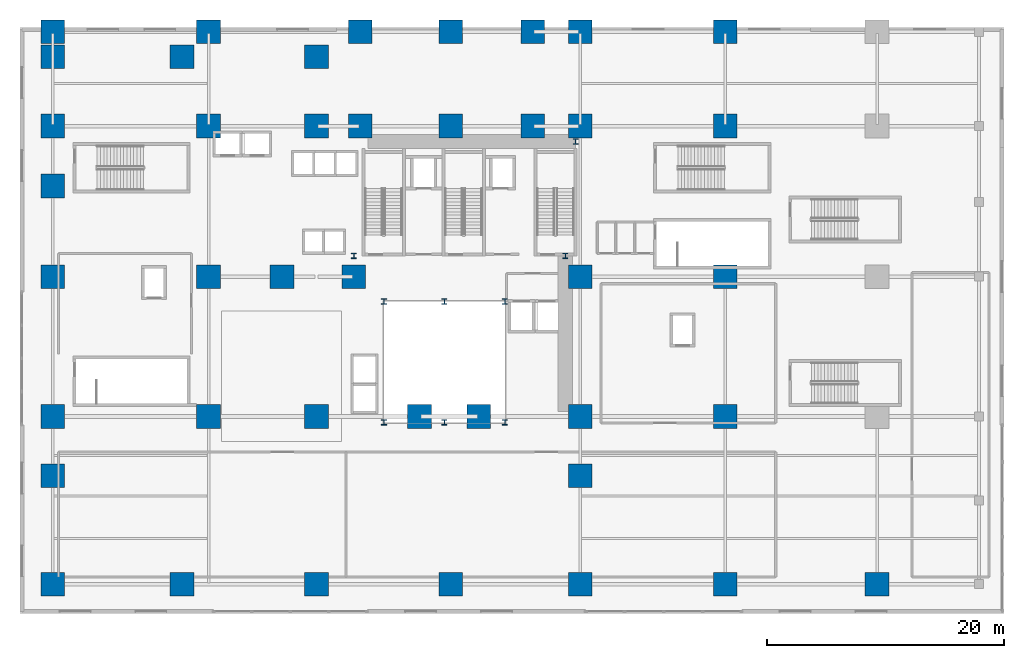
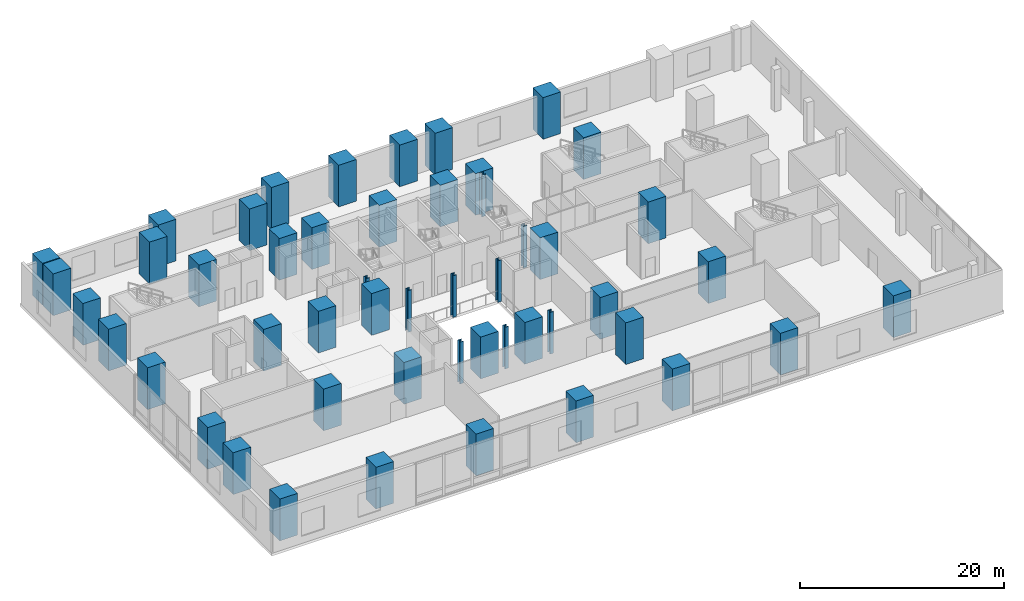
# One storey, part 1 of 15: 50 columns.
"""IFC4 building model written with IfcOpenShell, lengths in metres."""

from ifc_helpers import new_model, si_unit, direction, frame, origin, origin_2d, place, context, subcontext, project, spatial, rectangle, i_section, extrude, source, transform, mapped, material, material_profile, profile_set, type_object, element, save


model = new_model("IFC4")

# Units and contexts
model_context = context("Model", 3, precision=1e-05, world=origin(), true_north=direction((0.0, 1.0)))
body_context = subcontext(model_context, "Body", "Model", "MODEL_VIEW")
ifc_project = project(units=[si_unit("LENGTHUNIT", "METRE"), si_unit("AREAUNIT", "SQUARE_METRE"), si_unit("VOLUMEUNIT", "CUBIC_METRE"), si_unit("PLANEANGLEUNIT", "RADIAN"), si_unit("MASSUNIT", "GRAM", prefix="KILO")], contexts=[model_context])

# Site, building, storey
site_placement = place(None, origin())
site = spatial("IfcSite", under=ifc_project, at=site_placement, CompositionType="ELEMENT")
building_placement = place(site_placement, origin())
building = spatial("IfcBuilding", under=site, at=building_placement, Name="Vardaveli Station Tower", CompositionType="ELEMENT")
storey_placement = place(building_placement, frame((0.0, 0.0, 6.0)))
storey = spatial("IfcBuildingStorey", under=building, at=storey_placement, Name="L02", CompositionType="ELEMENT", Elevation=6.0)

# Columns
ifc_material_1 = material(Name="Structural steel S460M", Category="steel")
ifc_material_profile_1 = material_profile(ifc_material_1, i_section(OverallWidth=0.427978515625, OverallDepth=0.48095703125, WebThickness=0.03955078125, FlangeThickness=0.0634765625, FilletRadius=0.014892578125, at=origin_2d()), Name="HD 400x677")
ifc_profile_set_1 = profile_set([ifc_material_profile_1], Name="Structural steel S460M")
column_type_1 = type_object("IfcColumnType", Name="COL-HD677", PredefinedType="COLUMN", material=ifc_profile_set_1)
shared_shape_1 = source(origin(), body_context, "Body", "SweptSolid", [
    extrude(i_section(OverallWidth=0.427978515625, OverallDepth=0.48095703125, WebThickness=0.03955078125, FlangeThickness=0.0634765625, FilletRadius=0.014892578125, at=origin_2d()), origin(), (0.0, 0.0, 1.0), 5.0),
])
for number, where, z_axis, x_axis, name in (
    (1, (31.199951171875, 16.60009765625, 0.0), (0.0, 0.0, 1.0), (1.0, 0.0, 0.0), "COL-L02-AC1"),
    (2, (36.300048828125, 16.60009765625, 0.0), (0.0, 0.0, 1.0), (1.0, 0.0, 0.0), "COL-L02-AC2"),
    (3, (41.39990234375, 16.60009765625, 0.0), (0.0, 0.0, 1.0), (1.0, 0.0, 0.0), "COL-L02-AC3"),
    (4, (41.39990234375, 26.800048828125, 0.0), (0.0, 0.0, 1.0), (1.0, 0.0, 0.0), "COL-L02-AC4"),
    (5, (36.300048828125, 26.800048828125, 0.0), (0.0, 0.0, 1.0), (1.0, 0.0, 0.0), "COL-L02-AC5"),
    (6, (31.199951171875, 26.800048828125, 0.0), (0.0, 0.0, 1.0), (1.0, 0.0, 0.0), "COL-L02-AC6"),
    (7, (28.64990234375, 30.64990234375, 0.0), (0.0, 0.0, 1.0), (1.0, 0.0, 0.0), "COL-L02-CC1"),
    (8, (46.5, 30.64990234375, 0.0), (0.0, 0.0, 1.0), (1.0, 0.0, 0.0), "COL-L02-CC2"),
    (9, (47.3701171875, 40.300048828125, 0.0), (0.0, 0.0, 1.0), (1.0, 0.0, 0.0), "COL-L02-CC3"),
):
    element("IfcColumn", number, at=place(storey_placement, frame(where, z_axis=z_axis, x_axis=x_axis)), inside=storey, type_object=column_type_1, Name=name, PredefinedType="COLUMN", context=body_context, shape_type="MappedRepresentation", body=[
        mapped(shared_shape_1, transform((0.0, 0.0, 0.0), scale=1.0)),
    ])
ifc_material_2 = material(Name="Concrete C70/85", Category="concrete")
ifc_material_profile_2 = material_profile(ifc_material_2, rectangle(XDim=2.0, YDim=2.0, at=origin_2d()), Name="SC 2000x2000")
ifc_profile_set_2 = profile_set([ifc_material_profile_2], Name="Concrete C70/85")
column_type_2 = type_object("IfcColumnType", Name="COL-SC-2000", PredefinedType="COLUMN", material=ifc_profile_set_2)
shared_shape_2 = source(origin(), body_context, "Body", "SweptSolid", [
    extrude(rectangle(XDim=2.0, YDim=2.0, at=origin_2d()), origin(), (0.0, 0.0, 1.0), 5.0),
])
for number, where, z_axis, x_axis, name in (
    (10, (3.25, 2.949951171875, 0.0), (0.0, 0.0, 1.0), (1.0, 0.0, 0.0), "COL-L02-SC01"),
    (11, (14.159912109375, 2.949951171875, 0.0), (0.0, 0.0, 1.0), (1.0, 0.0, 0.0), "COL-L02-SC02"),
    (12, (25.5, 2.949951171875, 0.0), (0.0, 0.0, 1.0), (1.0, 0.0, 0.0), "COL-L02-SC03"),
    (13, (36.840087890625, 2.949951171875, 0.0), (0.0, 0.0, 1.0), (1.0, 0.0, 0.0), "COL-L02-SC04"),
    (14, (47.75, 2.949951171875, 0.0), (0.0, 0.0, 1.0), (1.0, 0.0, 0.0), "COL-L02-SC05"),
    (15, (60.0, 2.949951171875, 0.0), (0.0, 0.0, 1.0), (1.0, 0.0, 0.0), "COL-L02-SC06"),
    (16, (72.800048828125, 2.949951171875, 0.0), (0.0, 0.0, 1.0), (1.0, 0.0, 0.0), "COL-L02-SC07"),
    (17, (3.25, 12.10009765625, 0.0), (0.0, 0.0, 1.0), (1.0, 0.0, 0.0), "COL-L02-SC08"),
    (18, (47.75, 12.10009765625, 0.0), (0.0, 0.0, 1.0), (1.0, 0.0, 0.0), "COL-L02-SC09"),
    (19, (3.25, 17.10009765625, 0.0), (0.0, 0.0, 1.0), (1.0, 0.0, 0.0), "COL-L02-SC10"),
    (20, (16.39990234375, 17.10009765625, 0.0), (0.0, 0.0, 1.0), (1.0, 0.0, 0.0), "COL-L02-SC11"),
    (21, (25.5, 17.10009765625, 0.0), (0.0, 0.0, 1.0), (1.0, 0.0, 0.0), "COL-L02-SC12"),
    (22, (34.199951171875, 17.10009765625, 0.0), (0.0, 0.0, 1.0), (1.0, 0.0, 0.0), "COL-L02-SC12B"),
    (23, (39.199951171875, 17.10009765625, 0.0), (0.0, 0.0, 1.0), (1.0, 0.0, 0.0), "COL-L02-SC12C"),
    (24, (47.75, 17.10009765625, 0.0), (0.0, 0.0, 1.0), (1.0, 0.0, 0.0), "COL-L02-SC13"),
    (25, (60.0, 17.10009765625, 0.0), (0.0, 0.0, 1.0), (1.0, 0.0, 0.0), "COL-L02-SC14"),
    (26, (3.25, 28.89990234375, 0.0), (0.0, 0.0, 1.0), (1.0, 0.0, 0.0), "COL-L02-SC16"),
    (27, (16.39990234375, 28.89990234375, 0.0), (0.0, 0.0, 1.0), (1.0, 0.0, 0.0), "COL-L02-SC17"),
    (28, (22.60009765625, 28.89990234375, 0.0), (0.0, 0.0, 1.0), (1.0, 0.0, 0.0), "COL-L02-SC17B"),
    (29, (28.64990234375, 28.89990234375, 0.0), (0.0, 0.0, 1.0), (1.0, 0.0, 0.0), "COL-L02-SC17C"),
    (30, (47.75, 28.89990234375, 0.0), (0.0, 0.0, 1.0), (1.0, 0.0, 0.0), "COL-L02-SC18"),
    (31, (60.0, 28.89990234375, 0.0), (0.0, 0.0, 1.0), (1.0, 0.0, 0.0), "COL-L02-SC18B"),
    (32, (3.25, 36.5400390625, 0.0), (0.0, 0.0, 1.0), (1.0, 0.0, 0.0), "COL-L02-SC20"),
    (33, (3.25, 41.60009765625, 0.0), (0.0, 0.0, 1.0), (1.0, 0.0, 0.0), "COL-L02-SC20B"),
    (34, (3.25, 49.550048828125, 0.0), (0.0, 0.0, 1.0), (1.0, 0.0, 0.0), "COL-L02-SC20C"),
    (35, (16.39990234375, 41.60009765625, 0.0), (0.0, 0.0, 1.0), (1.0, 0.0, 0.0), "COL-L02-SC21"),
    (36, (25.5, 41.60009765625, 0.0), (0.0, 0.0, 1.0), (1.0, 0.0, 0.0), "COL-L02-SC21B"),
    (37, (29.199951171875, 41.60009765625, 0.0), (0.0, 0.0, 1.0), (1.0, 0.0, 0.0), "COL-L02-SC22"),
    (38, (36.840087890625, 41.60009765625, 0.0), (0.0, 0.0, 1.0), (1.0, 0.0, 0.0), "COL-L02-SC23"),
    (39, (43.75, 41.60009765625, 0.0), (0.0, 0.0, 1.0), (1.0, 0.0, 0.0), "COL-L02-SC24"),
    (40, (47.75, 41.60009765625, 0.0), (0.0, 0.0, 1.0), (1.0, 0.0, 0.0), "COL-L02-SC25"),
    (41, (60.0, 41.60009765625, 0.0), (0.0, 0.0, 1.0), (1.0, 0.0, 0.0), "COL-L02-SC26"),
    (42, (3.25, 47.449951171875, 0.0), (0.0, 0.0, 1.0), (1.0, 0.0, 0.0), "COL-L02-SC28"),
    (43, (14.159912109375, 47.449951171875, 0.0), (0.0, 0.0, 1.0), (1.0, 0.0, 0.0), "COL-L02-SC29"),
    (44, (25.5, 47.449951171875, 0.0), (0.0, 0.0, 1.0), (1.0, 0.0, 0.0), "COL-L02-SC30"),
    (45, (16.39990234375, 49.550048828125, 0.0), (0.0, 0.0, 1.0), (1.0, 0.0, 0.0), "COL-L02-SC30B"),
    (46, (29.199951171875, 49.550048828125, 0.0), (0.0, 0.0, 1.0), (1.0, 0.0, 0.0), "COL-L02-SC31"),
    (47, (36.840087890625, 49.550048828125, 0.0), (0.0, 0.0, 1.0), (1.0, 0.0, 0.0), "COL-L02-SC32"),
    (48, (43.75, 49.550048828125, 0.0), (0.0, 0.0, 1.0), (1.0, 0.0, 0.0), "COL-L02-SC33"),
    (49, (47.75, 49.550048828125, 0.0), (0.0, 0.0, 1.0), (1.0, 0.0, 0.0), "COL-L02-SC34"),
    (50, (60.0, 49.550048828125, 0.0), (0.0, 0.0, 1.0), (1.0, 0.0, 0.0), "COL-L02-SC35"),
):
    element("IfcColumn", number, at=place(storey_placement, frame(where, z_axis=z_axis, x_axis=x_axis)), inside=storey, type_object=column_type_2, Name=name, PredefinedType="COLUMN", context=body_context, shape_type="MappedRepresentation", body=[
        mapped(shared_shape_2, transform((0.0, 0.0, 0.0), scale=1.0)),
    ])

save(model, "model.ifc")
